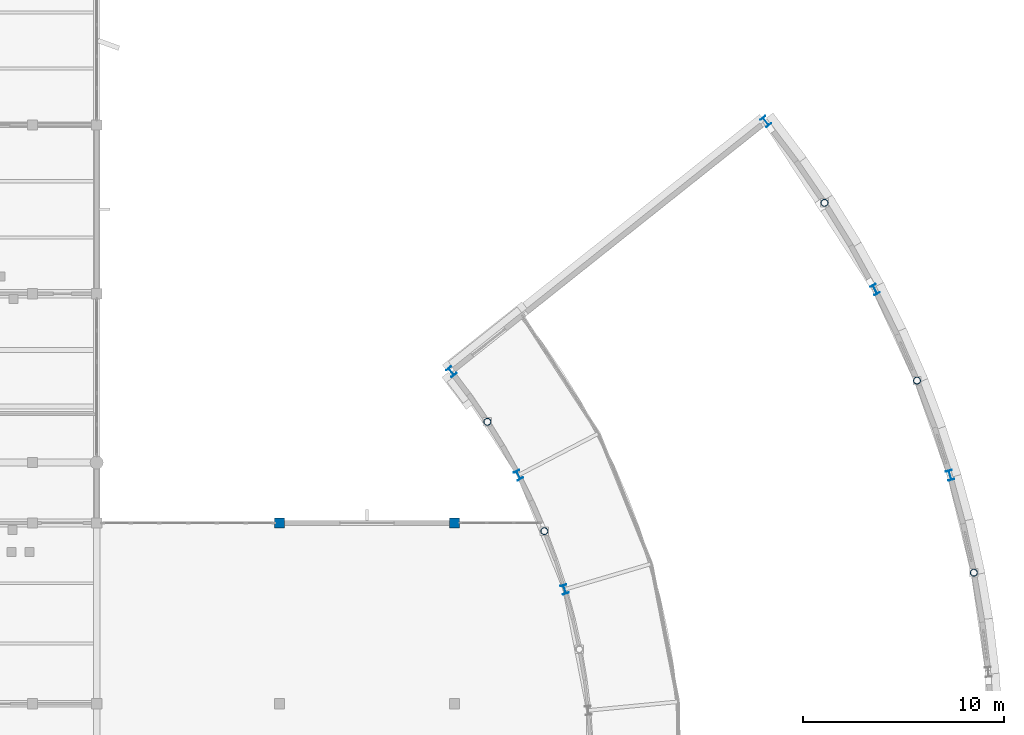
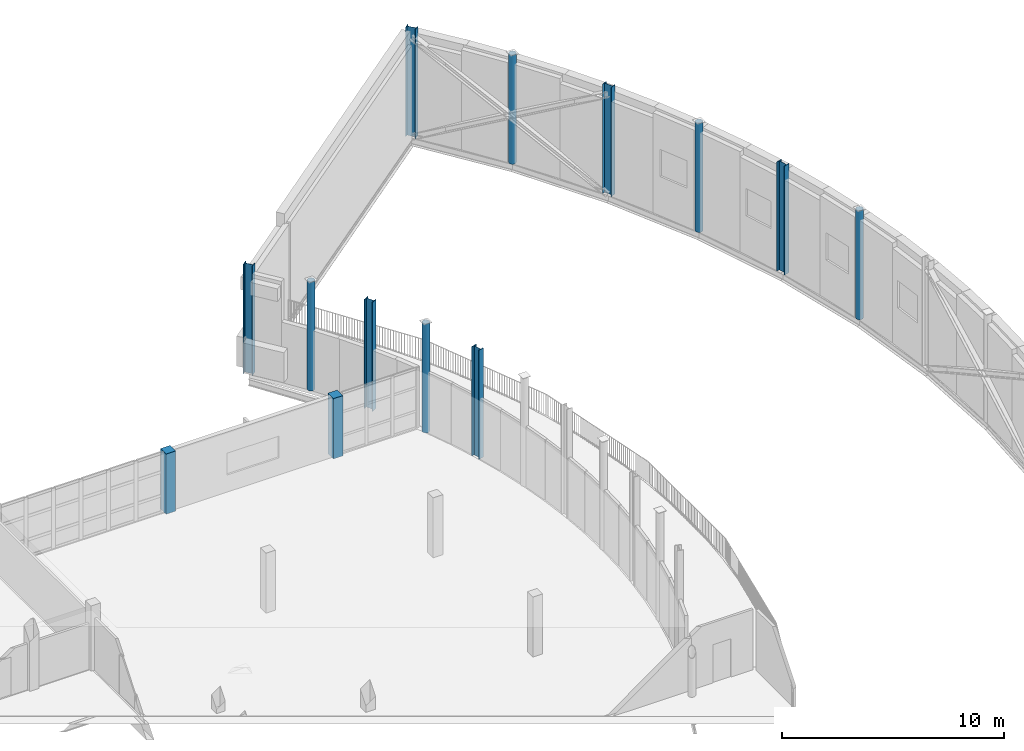
# One storey, part 5 of 104: 13 columns.
"""IFC4 building model written with IfcOpenShell, lengths in metres."""

from ifc_helpers import new_model, si_unit, direction, frame, origin, origin_2d, place, context, subcontext, project, spatial, rectangle, hollow_circle, i_section, extrude, material, material_profile, profile_set, type_object, element, save


model = new_model("IFC4")

# Units and contexts
model_context = context("Model", 3, precision=1e-05, world=origin(), true_north=direction((0.0, 1.0)))
body_context = subcontext(model_context, "Body", "Model", "MODEL_VIEW")
ifc_project = project(units=[si_unit("LENGTHUNIT", "METRE"), si_unit("AREAUNIT", "SQUARE_METRE"), si_unit("VOLUMEUNIT", "CUBIC_METRE"), si_unit("PLANEANGLEUNIT", "RADIAN"), si_unit("MASSUNIT", "GRAM", prefix="KILO")], contexts=[model_context])

# Site, building, storey
site_placement = place(None, origin())
site = spatial("IfcSite", under=ifc_project, at=site_placement, CompositionType="ELEMENT")
building_placement = place(site_placement, origin())
building = spatial("IfcBuilding", under=site, at=building_placement, Name="Vanh Quang Courtyard School", CompositionType="ELEMENT")
storey_placement = place(building_placement, frame((0.0, 0.0, 4.199951171875)))
storey = spatial("IfcBuildingStorey", under=building, at=storey_placement, Name="L01", CompositionType="ELEMENT", Elevation=4.199951171875)

# Columns
ifc_material_1 = material(Name="Concrete C35/45", Category="concrete")
ifc_material_profile_1 = material_profile(ifc_material_1, rectangle(XDim=0.5, YDim=0.5, at=origin_2d()), Name="RC-COL 500x500")
ifc_profile_set_1 = profile_set([ifc_material_profile_1], Name="Concrete C35/45")
column_type_1 = type_object("IfcColumnType", Name="COL-RC-500", PredefinedType="COLUMN", material=ifc_profile_set_1)
for number, where, z_axis, x_axis, name in (
    (1, (128.5, 68.39990234375, 0.0), (0.0, 0.0, 1.0), (1.0, 0.0, 0.0), "Column C-05 (L01)"),
    (2, (137.199951171875, 68.39990234375, 0.0), (0.0, 0.0, 1.0), (1.0, 0.0, 0.0), "Column C-05 (L01)"),
):
    element("IfcColumn", number, at=place(storey_placement, frame(where, z_axis=z_axis, x_axis=x_axis)), inside=storey, type_object=column_type_1, Name=name, PredefinedType="COLUMN", context=body_context, shape_type="SweptSolid", body=[
        extrude(rectangle(XDim=0.5, YDim=0.5, at=origin_2d()), origin(), (0.0, 0.0, 1.0), 3.320068359375),
    ])
ifc_material_2 = material(Name="Structural steel EN 10025-2 S355J2", Category="steel")
ifc_material_profile_2 = material_profile(ifc_material_2, hollow_circle(Radius=0.177734375, WallThickness=0.01611328125, at=origin_2d()), Name="CHS 355.6x16")
ifc_profile_set_2 = profile_set([ifc_material_profile_2], Name="Structural steel EN 10025-2 S355J2")
column_type_2 = type_object("IfcColumnType", Name="COL-STL-CHS355", PredefinedType="COLUMN", material=ifc_profile_set_2)
for number, where, z_axis, x_axis, name in (
    (3, (141.669921875, 67.9873046875, 0.0), (0.0, 0.0, 1.0), (1.0, 0.0, 0.0), "Column CS-05 (L01)"),
    (4, (138.83740234375, 73.428466796875, 0.0), (0.0, 0.0, 1.0), (1.0, 0.0, 0.0), "Column CS-05 (L01)"),
    (5, (163.044677734375, 65.922119140625, 0.0), (0.0, 0.0, 1.0), (1.0, 0.0, 0.0), "Column CS-05 (L01)"),
    (6, (160.213623046875, 75.4794921875, 0.0), (0.0, 0.0, 1.0), (1.0, 0.0, 0.0), "Column CS-05 (L01)"),
    (7, (155.61083984375, 84.3212890625, 0.0), (0.0, 0.0, 1.0), (1.0, 0.0, 0.0), "Column CS-05 (L01)"),
):
    element("IfcColumn", number, at=place(storey_placement, frame(where, z_axis=z_axis, x_axis=x_axis)), inside=storey, type_object=column_type_2, Name=name, PredefinedType="COLUMN", context=body_context, shape_type="SweptSolid", body=[
        extrude(hollow_circle(Radius=0.177734375, WallThickness=0.01611328125, at=origin_2d()), origin(), (0.0, 0.0, 1.0), 6.0),
    ])
ifc_material_profile_3 = material_profile(ifc_material_2, i_section(OverallWidth=0.300048828125, OverallDepth=0.489990234375, WebThickness=0.011962890625, FlangeThickness=0.02294921875, FilletRadius=0.027099609375, at=origin_2d()), Name="HEA 500")
ifc_profile_set_3 = profile_set([ifc_material_profile_3], Name="Structural steel EN 10025-2 S355J2")
column_type_3 = type_object("IfcColumnType", Name="COL-STL-HEA500", PredefinedType="COLUMN", material=ifc_profile_set_3)
for number, where, z_axis, x_axis, name in (
    (8, (161.858642578125, 70.768798828125, 0.0), (0.0, 0.0, 1.0), (0.958819734868, 0.284015344704, 0.0), "Column CS-01 (L01)"),
    (9, (158.12451171875, 80.010986328125, 0.0), (0.0, 0.0, 1.0), (0.887010833178, 0.461748613235, 0.0), "Column CS-01 (L01)"),
    (10, (152.695556640625, 88.370849609375, 0.0), (0.0, 0.0, 1.0), (0.782608156852, 0.622514636638, 0.0), "Column CS-01 (L01)"),
):
    element("IfcColumn", number, at=place(storey_placement, frame(where, z_axis=z_axis, x_axis=x_axis)), inside=storey, type_object=column_type_3, Name=name, PredefinedType="COLUMN", context=body_context, shape_type="SweptSolid", body=[
        extrude(i_section(OverallWidth=0.300048828125, OverallDepth=0.489990234375, WebThickness=0.011962890625, FlangeThickness=0.02294921875, FilletRadius=0.027099609375, at=origin_2d()), origin(), (0.0, 0.0, 1.0), 6.0),
    ])
ifc_material_profile_4 = material_profile(ifc_material_2, i_section(OverallWidth=0.300048828125, OverallDepth=0.449951171875, WebThickness=0.013916015625, FlangeThickness=0.02587890625, FilletRadius=0.027099609375, at=origin_2d()), Name="HEB 450")
ifc_profile_set_4 = profile_set([ifc_material_profile_4], Name="Structural steel EN 10025-2 S355J2")
column_type_4 = type_object("IfcColumnType", Name="COL-STL-HEB450", PredefinedType="COLUMN", material=ifc_profile_set_4)
for number, where, z_axis, x_axis, name in (
    (11, (142.68212890625, 65.08837890625, 0.0), (0.0, 0.0, 1.0), (0.958819734868, 0.284015344704, 0.0), "Column CS-02 (L01)"),
    (12, (140.38427734375, 70.77587890625, 0.0), (0.0, 0.0, 1.0), (0.887010833178, 0.461748613235, 0.0), "Column CS-02 (L01)"),
    (13, (137.04345703125, 75.92041015625, 0.0), (0.0, 0.0, 1.0), (0.782608156852, 0.622514636638, 0.0), "Column CS-02 (L01)"),
):
    element("IfcColumn", number, at=place(storey_placement, frame(where, z_axis=z_axis, x_axis=x_axis)), inside=storey, type_object=column_type_4, Name=name, PredefinedType="COLUMN", context=body_context, shape_type="SweptSolid", body=[
        extrude(i_section(OverallWidth=0.300048828125, OverallDepth=0.449951171875, WebThickness=0.013916015625, FlangeThickness=0.02587890625, FilletRadius=0.027099609375, at=origin_2d()), origin(), (0.0, 0.0, 1.0), 6.0),
    ])

save(model, "model.ifc")
